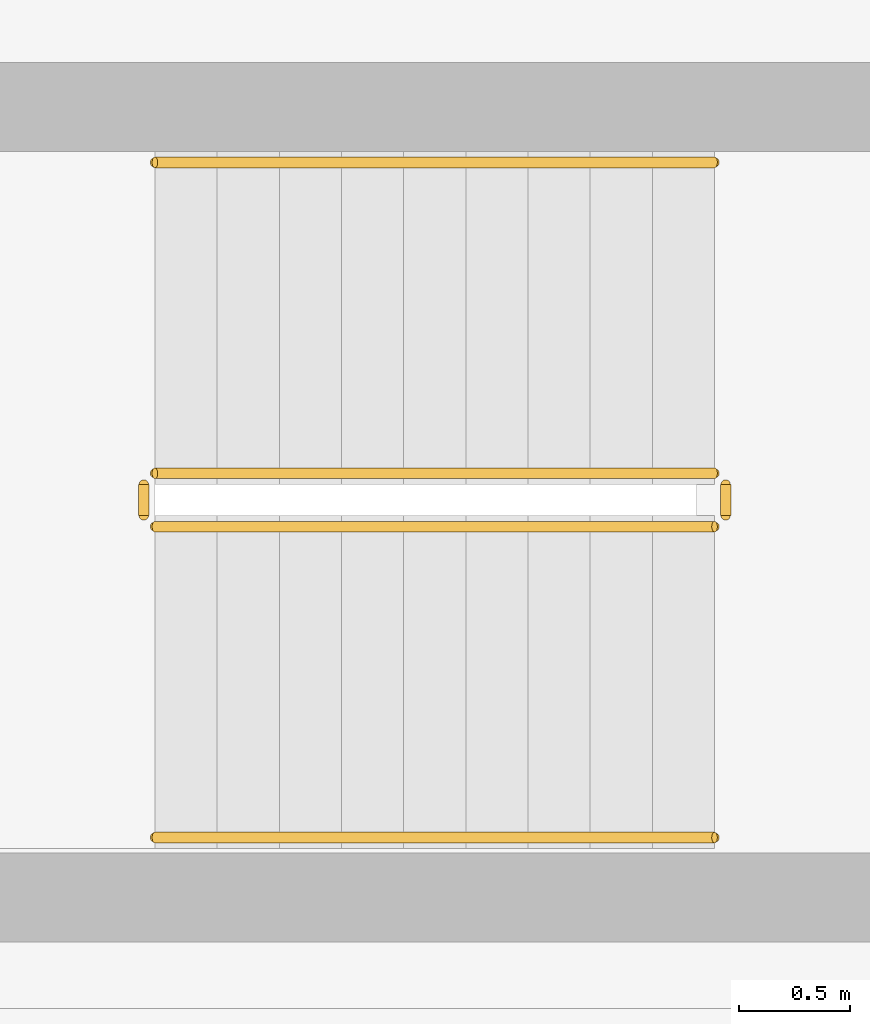
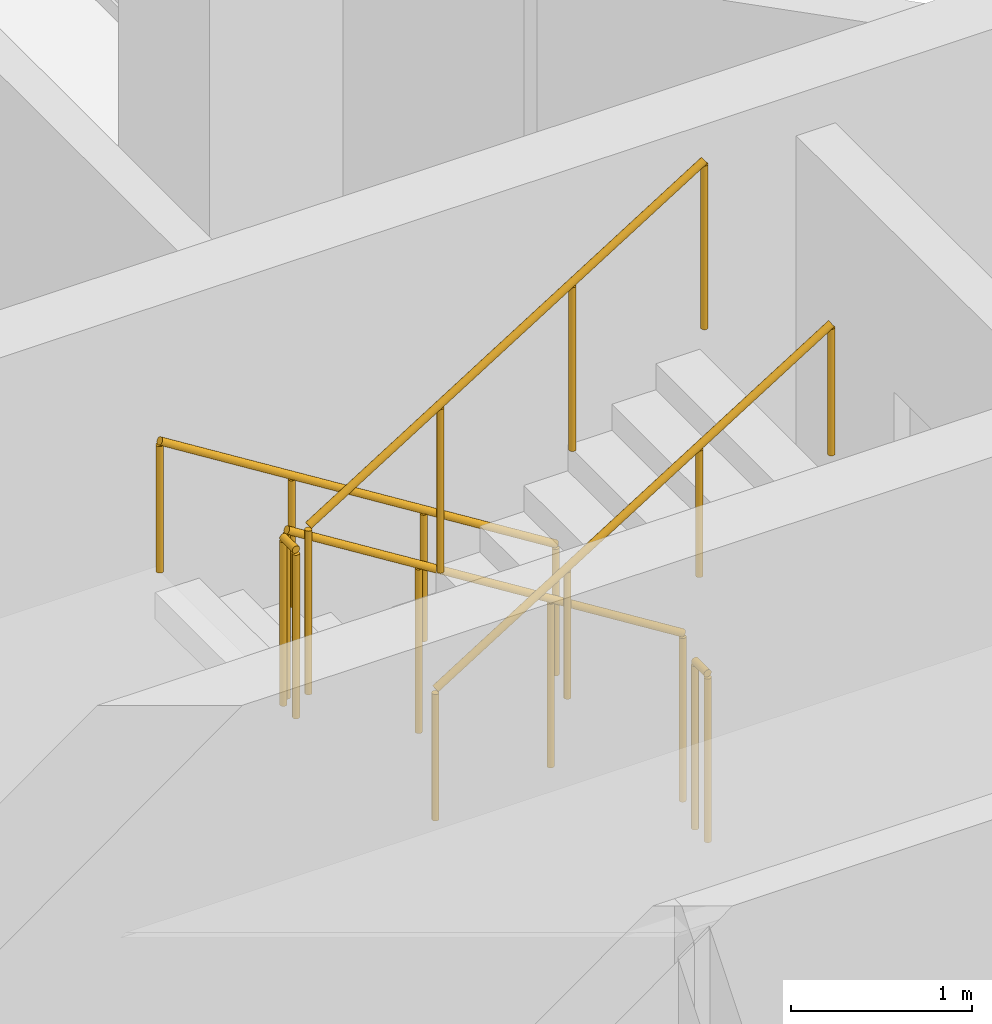
# One storey, part 22 of 26: 6 railings.
"""IFC4 building model written with IfcOpenShell, lengths in metres."""

from ifc_helpers import new_model, si_unit, derived_unit, direction, frame, origin, origin_2d, place, context, subcontext, project, spatial, circle, extrude, material, type_object, element, save


model = new_model("IFC4")

# Units and contexts
model_context = context("Model", 3, precision=1e-05, world=origin(), true_north=direction((0.0, 1.0)))
body_context = subcontext(model_context, "Body", "Model", "MODEL_VIEW")
ifc_project = project(units=[si_unit("LENGTHUNIT", "METRE"), si_unit("AREAUNIT", "SQUARE_METRE"), si_unit("VOLUMEUNIT", "CUBIC_METRE"), si_unit("PLANEANGLEUNIT", "RADIAN"), si_unit("MASSUNIT", "GRAM", prefix="KILO"), derived_unit("THERMALTRANSMITTANCEUNIT", [(si_unit("POWERUNIT", "WATT"), 1), (si_unit("LENGTHUNIT", "METRE"), -2), (si_unit("THERMODYNAMICTEMPERATUREUNIT", "KELVIN"), -1)])], contexts=[model_context])

# Site, building, storey
site_placement = place(None, origin())
site = spatial("IfcSite", under=ifc_project, at=site_placement, CompositionType="ELEMENT")
building_placement = place(site_placement, origin())
building = spatial("IfcBuilding", under=site, at=building_placement, Name="Kivonza Crest Hotel", CompositionType="ELEMENT")
storey_placement = place(building_placement, frame((0.0, 0.0, 102.0)))
storey = spatial("IfcBuildingStorey", under=building, at=storey_placement, Name="L27", CompositionType="ELEMENT", Elevation=102.0)

# Railings
ifc_material_1 = material(Name="Brushed stainless steel handrail", Category="steel")
railing_type_1 = type_object("IfcRailingType", Name="RL-HAND-900", PredefinedType="HANDRAIL", material=ifc_material_1)
railing_1_placement = place(storey_placement, frame((12.239990234375, 16.949951171875, 0.175048828125)))
element("IfcRailing", 1, at=railing_1_placement, inside=storey, type_object=railing_type_1, Name="L27 ST-T1-S stair handrail 1", PredefinedType="HANDRAIL", context=body_context, shape_type="SweptSolid", body=[
    extrude(circle(Radius=0.02392578125, at=origin_2d()), frame((0.0, 0.0, 0.8759765625), z_axis=(-0.848007534815, 0.0, 0.529984170421), x_axis=(0.0, -1.0, 0.0)), (0.0, 0.0, 1.0), 2.9716796875),
    extrude(circle(Radius=0.02099609375, at=origin_2d()), origin(), (0.0, 0.0, 1.0), 0.851806640625),
    extrude(circle(Radius=0.02099609375, at=origin_2d()), frame((-0.840087890625, 0.0, 0.52490234375)), (0.0, 0.0, 1.0), 0.851806640625),
    extrude(circle(Radius=0.02099609375, at=origin_2d()), frame((-1.679931640625, 0.0, 1.050048828125)), (0.0, 0.0, 1.0), 0.851806640625),
    extrude(circle(Radius=0.02099609375, at=origin_2d()), frame((-2.52001953125, 0.0, 1.574951171875)), (0.0, 0.0, 1.0), 0.851806640625),
])
railing_2_placement = place(storey_placement, frame((9.719970703125, 13.909912109375, 1.925048828125)))
element("IfcRailing", 2, at=railing_2_placement, inside=storey, type_object=railing_type_1, Name="L27 ST-T1-S stair handrail 2", PredefinedType="HANDRAIL", context=body_context, shape_type="SweptSolid", body=[
    extrude(circle(Radius=0.02392578125, at=origin_2d()), frame((0.0, 0.0, 0.8759765625), z_axis=(0.848007534815, 0.0, 0.529984170421), x_axis=(0.0, 1.0, 0.0)), (0.0, 0.0, 1.0), 2.9716796875),
    extrude(circle(Radius=0.02099609375, at=origin_2d()), origin(), (0.0, 0.0, 1.0), 0.851806640625),
    extrude(circle(Radius=0.02099609375, at=origin_2d()), frame((0.840087890625, 0.0, 0.52490234375)), (0.0, 0.0, 1.0), 0.851806640625),
    extrude(circle(Radius=0.02099609375, at=origin_2d()), frame((1.679931640625, 0.0, 1.050048828125)), (0.0, 0.0, 1.0), 0.851806640625),
    extrude(circle(Radius=0.02099609375, at=origin_2d()), frame((2.52001953125, 0.0, 1.574951171875)), (0.0, 0.0, 1.0), 0.851806640625),
])
ifc_material_2 = material(Name="Painted steel balustrade", Category="steel")
railing_type_2 = type_object("IfcRailingType", Name="RL-STAIR-1150", PredefinedType="BALUSTRADE", material=ifc_material_2)
railing_3_placement = place(storey_placement, frame((12.239990234375, 15.550048828125, 0.175048828125)))
element("IfcRailing", 3, at=railing_3_placement, inside=storey, type_object=railing_type_2, Name="L27 ST-T1-S stair guard 1", PredefinedType="BALUSTRADE", context=body_context, shape_type="SweptSolid", body=[
    extrude(circle(Radius=0.02392578125, at=origin_2d()), frame((0.0, 0.0, 1.1259765625), z_axis=(-0.848007534815, 0.0, 0.529984170421), x_axis=(0.0, -1.0, 0.0)), (0.0, 0.0, 1.0), 2.9716796875),
    extrude(circle(Radius=0.02099609375, at=origin_2d()), origin(), (0.0, 0.0, 1.0), 1.101806640625),
    extrude(circle(Radius=0.02099609375, at=origin_2d()), frame((-0.840087890625, 0.0, 0.52490234375)), (0.0, 0.0, 1.0), 1.101806640625),
    extrude(circle(Radius=0.02099609375, at=origin_2d()), frame((-1.679931640625, 0.0, 1.050048828125)), (0.0, 0.0, 1.0), 1.101806640625),
    extrude(circle(Radius=0.02099609375, at=origin_2d()), frame((-2.52001953125, 0.0, 1.574951171875)), (0.0, 0.0, 1.0), 1.101806640625),
])
railing_4_placement = place(storey_placement, frame((9.669921875, 15.5, 1.75)))
element("IfcRailing", 4, at=railing_4_placement, inside=storey, type_object=railing_type_2, Name="L27 ST-T1-S stair guard 2", PredefinedType="BALUSTRADE", context=body_context, shape_type="SweptSolid", body=[
    extrude(circle(Radius=0.02392578125, at=origin_2d()), frame((0.0, 0.0, 1.1259765625), z_axis=(0.0, -1.0, 0.0), x_axis=(1.0, 0.0, 0.0)), (0.0, 0.0, 1.0), 0.139892578125),
    extrude(circle(Radius=0.02099609375, at=origin_2d()), origin(), (0.0, 0.0, 1.0), 1.101806640625),
    extrude(circle(Radius=0.02099609375, at=origin_2d()), frame((0.0, -0.139892578125, 0.0)), (0.0, 0.0, 1.0), 1.101806640625),
])
railing_5_placement = place(storey_placement, frame((9.719970703125, 15.31005859375, 1.925048828125)))
element("IfcRailing", 5, at=railing_5_placement, inside=storey, type_object=railing_type_2, Name="L27 ST-T1-S stair guard 3", PredefinedType="BALUSTRADE", context=body_context, shape_type="SweptSolid", body=[
    extrude(circle(Radius=0.02392578125, at=origin_2d()), frame((0.0, 0.0, 1.1259765625), z_axis=(0.848007534815, 0.0, 0.529984170421), x_axis=(0.0, 1.0, 0.0)), (0.0, 0.0, 1.0), 2.9716796875),
    extrude(circle(Radius=0.02099609375, at=origin_2d()), origin(), (0.0, 0.0, 1.0), 1.101806640625),
    extrude(circle(Radius=0.02099609375, at=origin_2d()), frame((0.840087890625, 0.0, 0.52490234375)), (0.0, 0.0, 1.0), 1.101806640625),
    extrude(circle(Radius=0.02099609375, at=origin_2d()), frame((1.679931640625, 0.0, 1.050048828125)), (0.0, 0.0, 1.0), 1.101806640625),
    extrude(circle(Radius=0.02099609375, at=origin_2d()), frame((2.52001953125, 0.0, 1.574951171875)), (0.0, 0.0, 1.0), 1.101806640625),
])
railing_6_placement = place(storey_placement, frame((12.2900390625, 15.5, 0.0)))
element("IfcRailing", 6, at=railing_6_placement, inside=storey, type_object=railing_type_2, Name="L27 ST-T1-S stair guard 4", PredefinedType="BALUSTRADE", context=body_context, shape_type="SweptSolid", body=[
    extrude(circle(Radius=0.02392578125, at=origin_2d()), frame((0.0, 0.0, 1.1259765625), z_axis=(0.0, -1.0, 0.0), x_axis=(1.0, 0.0, 0.0)), (0.0, 0.0, 1.0), 0.139892578125),
    extrude(circle(Radius=0.02099609375, at=origin_2d()), origin(), (0.0, 0.0, 1.0), 1.101806640625),
    extrude(circle(Radius=0.02099609375, at=origin_2d()), frame((0.0, -0.139892578125, 0.0)), (0.0, 0.0, 1.0), 1.101806640625),
])

save(model, "model.ifc")
